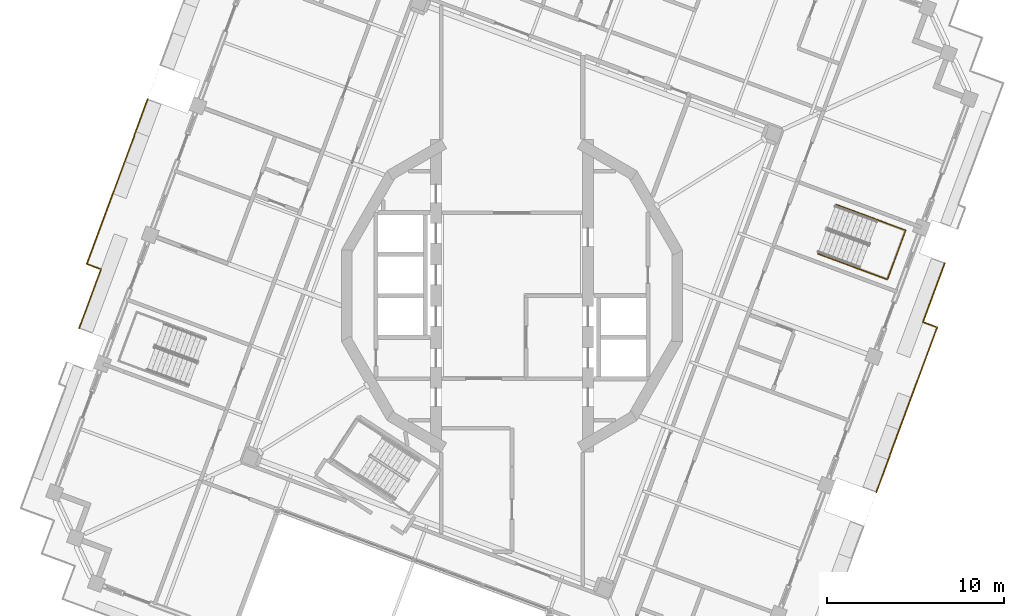
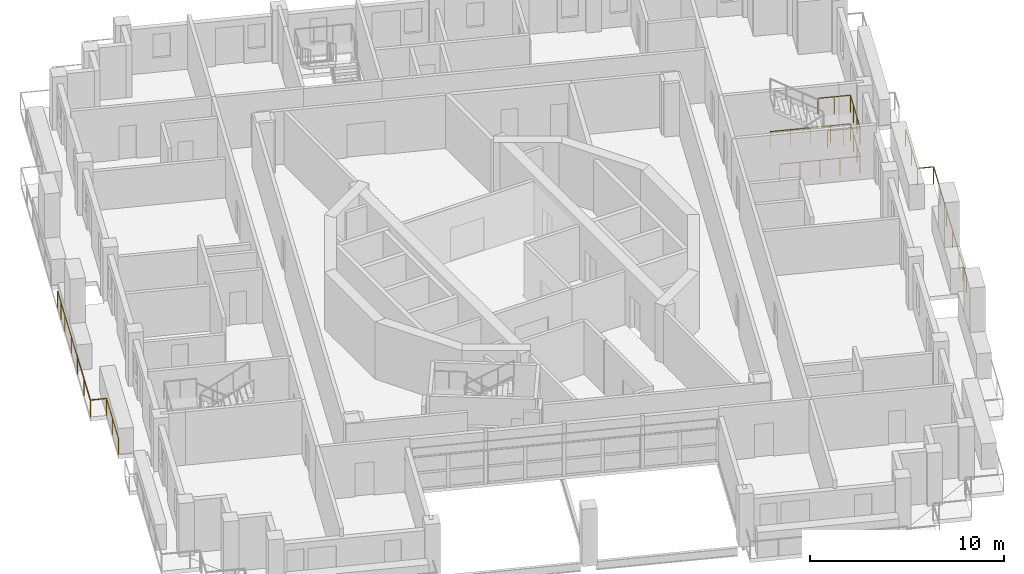
# One storey, part 16 of 19: 4 railings.
"""IFC4 building model written with IfcOpenShell, lengths in metres."""

from ifc_helpers import new_model, si_unit, direction, frame, origin, origin_2d, place, context, subcontext, project, spatial, circle, extrude, material, type_object, element, save


model = new_model("IFC4")

# Units and contexts
model_context = context("Model", 3, precision=1e-05, world=origin(), true_north=direction((0.0, 1.0)))
body_context = subcontext(model_context, "Body", "Model", "MODEL_VIEW")
ifc_project = project(units=[si_unit("LENGTHUNIT", "METRE"), si_unit("AREAUNIT", "SQUARE_METRE"), si_unit("VOLUMEUNIT", "CUBIC_METRE"), si_unit("PLANEANGLEUNIT", "RADIAN"), si_unit("MASSUNIT", "GRAM", prefix="KILO")], contexts=[model_context])

# Site, building, storey
site_placement = place(None, origin())
site = spatial("IfcSite", under=ifc_project, at=site_placement, CompositionType="ELEMENT")
building_placement = place(site_placement, origin())
building = spatial("IfcBuilding", under=site, at=building_placement, Name="Cantera Rosa Tower", CompositionType="ELEMENT")
storey_placement = place(building_placement, frame((0.0, 0.0, 324.10009765625)))
storey = spatial("IfcBuildingStorey", under=building, at=storey_placement, Name="L72", CompositionType="ELEMENT", Elevation=324.10009765625)

# Railings
ifc_material_1 = material(Name="Stainless steel and laminated glass", Category="steel")
railing_type_1 = type_object("IfcRailingType", Name="GUARD 1100", PredefinedType="BALUSTRADE", material=ifc_material_1)
railing_1_placement = place(storey_placement, frame((-24.501708984375, -1.8408203125, 0.0)))
element("IfcRailing", 1, at=railing_1_placement, inside=storey, type_object=railing_type_1, Name="GUARD L72-3", PredefinedType="BALUSTRADE", context=body_context, shape_type="SweptSolid", body=[
    extrude(circle(Radius=0.030029296875, at=origin_2d()), frame((0.0, 0.0, 1.070068359375), z_axis=(0.3474574284, 0.937695758469, 0.0), x_axis=(-0.937695758469, 0.3474574284, 0.0)), (0.0, 0.0, 1.0), 3.556884765625),
    extrude(circle(Radius=0.030029296875, at=origin_2d()), frame((1.23583984375, 3.335205078125, 1.070068359375), z_axis=(-0.93769038975, 0.347471916809, 0.0), x_axis=(-0.347471916809, -0.93769038975, 0.0)), (0.0, 0.0, 1.0), 0.85791015625),
    extrude(circle(Radius=0.030029296875, at=origin_2d()), frame((0.431396484375, 3.63330078125, 1.070068359375), z_axis=(0.347483265231, 0.937686184384, 0.0), x_axis=(-0.937686184384, 0.347483265231, 0.0)), (0.0, 0.0, 1.0), 7.76708984375),
    extrude(circle(Radius=0.030029296875, at=origin_2d()), frame((3.13037109375, 10.91650390625, 1.070068359375), z_axis=(-0.936329177569, 0.351123441588, 0.0), x_axis=(-0.351123441588, -0.936329177569, 0.0)), (0.0, 0.0, 1.0), 0.012451171875),
    extrude(circle(Radius=0.030029296875, at=origin_2d()), frame((3.11865234375, 10.9208984375, 1.070068359375), z_axis=(0.347383766327, 0.937723050208, 0.0), x_axis=(-0.937723050208, 0.347383766327, 0.0)), (0.0, 0.0, 1.0), 2.176513671875),
    extrude(circle(Radius=0.02490234375, at=origin_2d()), origin(), (0.0, 0.0, 1.0), 1.0400390625),
    extrude(circle(Radius=0.02490234375, at=origin_2d()), frame((0.617919921875, 1.66748046875, 0.0)), (0.0, 0.0, 1.0), 1.0400390625),
    extrude(circle(Radius=0.02490234375, at=origin_2d()), frame((1.23583984375, 3.335205078125, 0.0)), (0.0, 0.0, 1.0), 1.0400390625),
    extrude(circle(Radius=0.02490234375, at=origin_2d()), frame((0.431396484375, 3.63330078125, 0.0)), (0.0, 0.0, 1.0), 1.0400390625),
    extrude(circle(Radius=0.02490234375, at=origin_2d()), frame((1.106201171875, 5.4541015625, 0.0)), (0.0, 0.0, 1.0), 1.0400390625),
    extrude(circle(Radius=0.02490234375, at=origin_2d()), frame((1.78076171875, 7.27490234375, 0.0)), (0.0, 0.0, 1.0), 1.0400390625),
    extrude(circle(Radius=0.02490234375, at=origin_2d()), frame((2.45556640625, 9.095703125, 0.0)), (0.0, 0.0, 1.0), 1.0400390625),
    extrude(circle(Radius=0.02490234375, at=origin_2d()), frame((3.13037109375, 10.91650390625, 0.0)), (0.0, 0.0, 1.0), 1.0400390625),
    extrude(circle(Radius=0.02490234375, at=origin_2d()), frame((3.11865234375, 10.9208984375, 0.0)), (0.0, 0.0, 1.0), 1.0400390625),
    extrude(circle(Radius=0.02490234375, at=origin_2d()), frame((3.49658203125, 11.94140625, 0.0)), (0.0, 0.0, 1.0), 1.0400390625),
    extrude(circle(Radius=0.02490234375, at=origin_2d()), frame((3.874755859375, 12.9619140625, 0.0)), (0.0, 0.0, 1.0), 1.0400390625),
])
railing_2_placement = place(storey_placement, frame((24.501708984375, 1.8408203125, 0.0)))
element("IfcRailing", 2, at=railing_2_placement, inside=storey, type_object=railing_type_1, Name="GUARD L72-6", PredefinedType="BALUSTRADE", context=body_context, shape_type="SweptSolid", body=[
    extrude(circle(Radius=0.030029296875, at=origin_2d()), frame((0.0, 0.0, 1.070068359375), z_axis=(-0.3474574284, -0.937695758469, 0.0), x_axis=(0.937695758469, -0.3474574284, 0.0)), (0.0, 0.0, 1.0), 3.556884765625),
    extrude(circle(Radius=0.030029296875, at=origin_2d()), frame((-1.23583984375, -3.335205078125, 1.070068359375), z_axis=(0.93769038975, -0.347471916809, 0.0), x_axis=(0.347471916809, 0.93769038975, 0.0)), (0.0, 0.0, 1.0), 0.85791015625),
    extrude(circle(Radius=0.030029296875, at=origin_2d()), frame((-0.431396484375, -3.63330078125, 1.070068359375), z_axis=(-0.347483265231, -0.937686184384, 0.0), x_axis=(0.937686184384, -0.347483265231, 0.0)), (0.0, 0.0, 1.0), 7.76708984375),
    extrude(circle(Radius=0.030029296875, at=origin_2d()), frame((-3.13037109375, -10.91650390625, 1.070068359375), z_axis=(0.936329177569, -0.351123441588, 0.0), x_axis=(0.351123441588, 0.936329177569, 0.0)), (0.0, 0.0, 1.0), 0.012451171875),
    extrude(circle(Radius=0.030029296875, at=origin_2d()), frame((-3.11865234375, -10.9208984375, 1.070068359375), z_axis=(-0.347383766327, -0.937723050208, 0.0), x_axis=(0.937723050208, -0.347383766327, 0.0)), (0.0, 0.0, 1.0), 2.176513671875),
    extrude(circle(Radius=0.02490234375, at=origin_2d()), origin(), (0.0, 0.0, 1.0), 1.0400390625),
    extrude(circle(Radius=0.02490234375, at=origin_2d()), frame((-0.617919921875, -1.66748046875, 0.0)), (0.0, 0.0, 1.0), 1.0400390625),
    extrude(circle(Radius=0.02490234375, at=origin_2d()), frame((-1.23583984375, -3.335205078125, 0.0)), (0.0, 0.0, 1.0), 1.0400390625),
    extrude(circle(Radius=0.02490234375, at=origin_2d()), frame((-0.431396484375, -3.63330078125, 0.0)), (0.0, 0.0, 1.0), 1.0400390625),
    extrude(circle(Radius=0.02490234375, at=origin_2d()), frame((-1.106201171875, -5.4541015625, 0.0)), (0.0, 0.0, 1.0), 1.0400390625),
    extrude(circle(Radius=0.02490234375, at=origin_2d()), frame((-1.78076171875, -7.27490234375, 0.0)), (0.0, 0.0, 1.0), 1.0400390625),
    extrude(circle(Radius=0.02490234375, at=origin_2d()), frame((-2.45556640625, -9.095703125, 0.0)), (0.0, 0.0, 1.0), 1.0400390625),
    extrude(circle(Radius=0.02490234375, at=origin_2d()), frame((-3.13037109375, -10.91650390625, 0.0)), (0.0, 0.0, 1.0), 1.0400390625),
    extrude(circle(Radius=0.02490234375, at=origin_2d()), frame((-3.11865234375, -10.9208984375, 0.0)), (0.0, 0.0, 1.0), 1.0400390625),
    extrude(circle(Radius=0.02490234375, at=origin_2d()), frame((-3.49658203125, -11.94140625, 0.0)), (0.0, 0.0, 1.0), 1.0400390625),
    extrude(circle(Radius=0.02490234375, at=origin_2d()), frame((-3.874755859375, -12.9619140625, 0.0)), (0.0, 0.0, 1.0), 1.0400390625),
])
ifc_material_2 = material(Name="Steel S355J2 (EN 10025-2)", Category="steel")
railing_type_2 = type_object("IfcRailingType", Name="STAIR GUARD 1100", PredefinedType="GUARDRAIL", material=ifc_material_2)
railing_3_placement = place(storey_placement, frame((17.31494140625, 2.37109375, 0.0)))
element("IfcRailing", 3, at=railing_3_placement, inside=storey, type_object=railing_type_2, Name="L72 ST-61 stair guard 4", PredefinedType="GUARDRAIL", context=body_context, shape_type="SweptSolid", body=[
    extrude(circle(Radius=0.02392578125, at=origin_2d()), frame((0.0, 0.0, 1.076171875), z_axis=(0.937682096729, -0.3474942956, 0.0), x_axis=(0.3474942956, 0.937682096729, 0.0)), (0.0, 0.0, 1.0), 4.197998046875),
    extrude(circle(Radius=0.02392578125, at=origin_2d()), frame((3.936279296875, -1.458740234375, 1.076171875), z_axis=(0.347472311651, 0.937690243436, 0.0), x_axis=(-0.937690243436, 0.347472311651, 0.0)), (0.0, 0.0, 1.0), 2.969970703125),
    extrude(circle(Radius=0.02392578125, at=origin_2d()), frame((4.96826171875, 1.326171875, 1.076171875), z_axis=(-0.937682096729, 0.3474942956, 0.0), x_axis=(-0.3474942956, -0.937682096729, 0.0)), (0.0, 0.0, 1.0), 4.197998046875),
    extrude(circle(Radius=0.02099609375, at=origin_2d()), origin(), (0.0, 0.0, 1.0), 1.052001953125),
    extrude(circle(Radius=0.02099609375, at=origin_2d()), frame((0.984130859375, -0.36474609375, 0.0)), (0.0, 0.0, 1.0), 1.052001953125),
    extrude(circle(Radius=0.02099609375, at=origin_2d()), frame((1.96826171875, -0.7294921875, 0.0)), (0.0, 0.0, 1.0), 1.052001953125),
    extrude(circle(Radius=0.02099609375, at=origin_2d()), frame((2.9521484375, -1.093994140625, 0.0)), (0.0, 0.0, 1.0), 1.052001953125),
    extrude(circle(Radius=0.02099609375, at=origin_2d()), frame((3.936279296875, -1.458740234375, 0.0)), (0.0, 0.0, 1.0), 1.052001953125),
    extrude(circle(Radius=0.02099609375, at=origin_2d()), frame((4.2802734375, -0.530517578125, 0.0)), (0.0, 0.0, 1.0), 1.052001953125),
    extrude(circle(Radius=0.02099609375, at=origin_2d()), frame((4.624267578125, 0.39794921875, 0.0)), (0.0, 0.0, 1.0), 1.052001953125),
    extrude(circle(Radius=0.02099609375, at=origin_2d()), frame((4.96826171875, 1.326171875, 0.0)), (0.0, 0.0, 1.0), 1.052001953125),
    extrude(circle(Radius=0.02099609375, at=origin_2d()), frame((3.984130859375, 1.69091796875, 0.0)), (0.0, 0.0, 1.0), 1.052001953125),
    extrude(circle(Radius=0.02099609375, at=origin_2d()), frame((3.0, 2.0556640625, 0.0)), (0.0, 0.0, 1.0), 1.052001953125),
    extrude(circle(Radius=0.02099609375, at=origin_2d()), frame((2.01611328125, 2.420166015625, 0.0)), (0.0, 0.0, 1.0), 1.052001953125),
    extrude(circle(Radius=0.02099609375, at=origin_2d()), frame((1.031982421875, 2.784912109375, 0.0)), (0.0, 0.0, 1.0), 1.052001953125),
])
railing_4_placement = place(storey_placement, frame((19.6552734375, 1.50390625, 1.7998046875)))
element("IfcRailing", 4, at=railing_4_placement, inside=storey, type_object=railing_type_2, Name="L72 ST-61 stair guard 5", PredefinedType="GUARDRAIL", context=body_context, shape_type="SweptSolid", body=[
    extrude(circle(Radius=0.02392578125, at=origin_2d()), frame((0.0, 0.0, 1.076171875), z_axis=(0.937660486946, -0.347552602091, 0.0), x_axis=(0.347552602091, 0.937660486946, 0.0)), (0.0, 0.0, 1.0), 1.7021484375),
    extrude(circle(Radius=0.02392578125, at=origin_2d()), frame((1.595947265625, -0.591552734375, 1.076171875), z_axis=(0.347472311651, 0.937690243436, 0.0), x_axis=(-0.937690243436, 0.347472311651, 0.0)), (0.0, 0.0, 1.0), 2.969970703125),
    extrude(circle(Radius=0.02392578125, at=origin_2d()), frame((2.6279296875, 2.193359375, 1.076171875), z_axis=(-0.937660486946, 0.347552602091, 0.0), x_axis=(-0.347552602091, -0.937660486946, 0.0)), (0.0, 0.0, 1.0), 1.7021484375),
    extrude(circle(Radius=0.02099609375, at=origin_2d()), origin(), (0.0, 0.0, 1.0), 1.052001953125),
    extrude(circle(Radius=0.02099609375, at=origin_2d()), frame((0.7978515625, -0.2958984375, 0.0)), (0.0, 0.0, 1.0), 1.052001953125),
    extrude(circle(Radius=0.02099609375, at=origin_2d()), frame((1.595947265625, -0.591552734375, 0.0)), (0.0, 0.0, 1.0), 1.052001953125),
    extrude(circle(Radius=0.02099609375, at=origin_2d()), frame((1.93994140625, 0.336669921875, 0.0)), (0.0, 0.0, 1.0), 1.052001953125),
    extrude(circle(Radius=0.02099609375, at=origin_2d()), frame((2.283935546875, 1.26513671875, 0.0)), (0.0, 0.0, 1.0), 1.052001953125),
    extrude(circle(Radius=0.02099609375, at=origin_2d()), frame((2.6279296875, 2.193359375, 0.0)), (0.0, 0.0, 1.0), 1.052001953125),
    extrude(circle(Radius=0.02099609375, at=origin_2d()), frame((1.830078125, 2.4892578125, 0.0)), (0.0, 0.0, 1.0), 1.052001953125),
    extrude(circle(Radius=0.02099609375, at=origin_2d()), frame((1.031982421875, 2.784912109375, 0.0)), (0.0, 0.0, 1.0), 1.052001953125),
])

save(model, "model.ifc")
